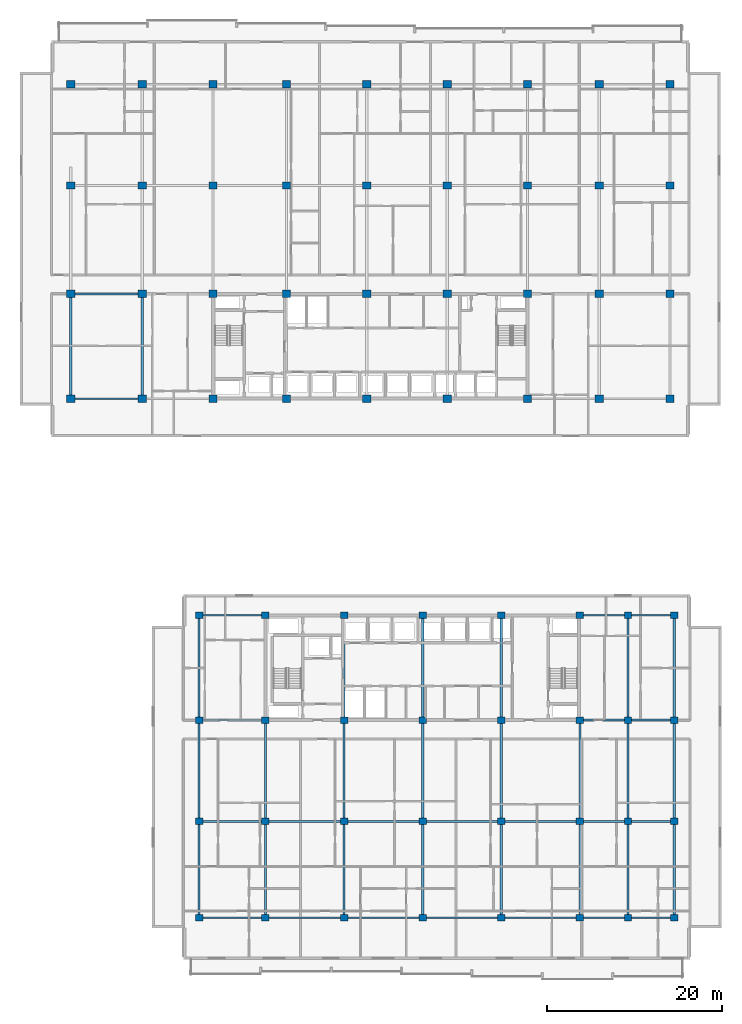
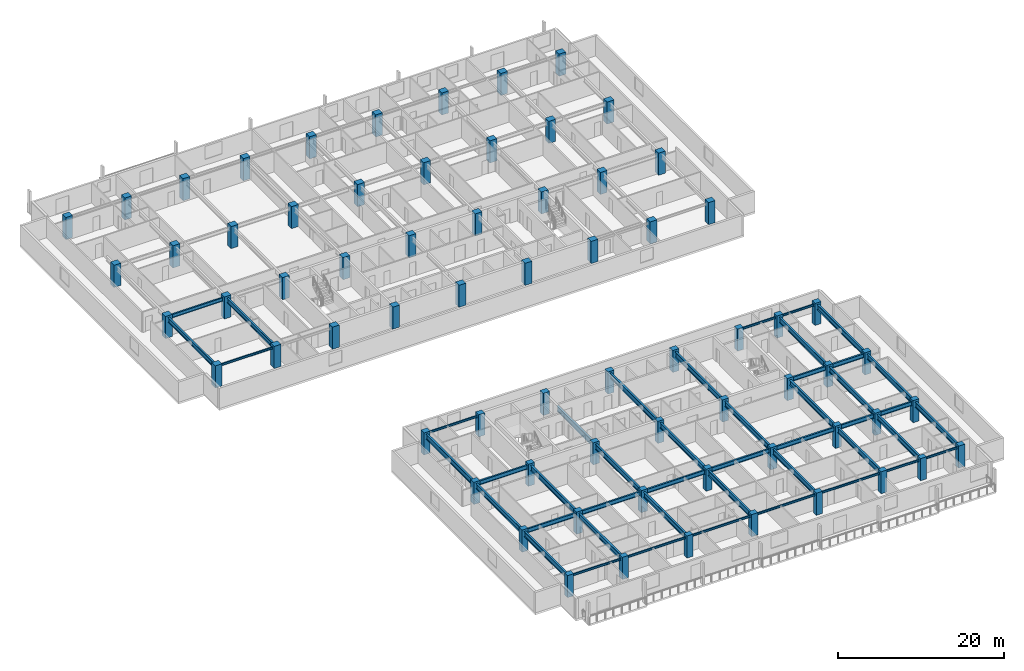
# One storey, part 1 of 22: 68 columns, 46 beams.
"""IFC4 building model written with IfcOpenShell, lengths in metres."""

from ifc_helpers import new_model, si_unit, direction, frame, origin, origin_2d, place, context, subcontext, project, spatial, rectangle, i_section, extrude, material, material_profile, profile_set, type_object, element, save


model = new_model("IFC4")

# Units and contexts
model_context = context("Model", 3, precision=1e-05, world=origin(), true_north=direction((0.0, 1.0)))
body_context = subcontext(model_context, "Body", "Model", "MODEL_VIEW")
ifc_project = project(units=[si_unit("LENGTHUNIT", "METRE"), si_unit("AREAUNIT", "SQUARE_METRE"), si_unit("VOLUMEUNIT", "CUBIC_METRE"), si_unit("PLANEANGLEUNIT", "RADIAN"), si_unit("MASSUNIT", "GRAM", prefix="KILO")], contexts=[model_context])

# Site, building, storey
site_placement = place(None, origin())
site = spatial("IfcSite", under=ifc_project, at=site_placement, CompositionType="ELEMENT")
building_placement = place(site_placement, origin())
building = spatial("IfcBuilding", under=site, at=building_placement, Name="Korimba Cascade Residences", CompositionType="ELEMENT")
storey_placement = place(building_placement, frame((0.0, 0.0, 87.300048828125)))
storey = spatial("IfcBuildingStorey", under=building, at=storey_placement, Name="L24", CompositionType="ELEMENT", Elevation=87.300048828125)

# Columns
ifc_material_1 = material(Name="Concrete C65/80", Category="concrete")
ifc_material_profile_1 = material_profile(ifc_material_1, rectangle(XDim=0.85009765625, YDim=0.75, at=origin_2d()), Name="Concrete C65/80")
ifc_profile_set_1 = profile_set([ifc_material_profile_1], Name="Concrete C65/80")
column_type_1 = type_object("IfcColumnType", Name="COL-RC-850", PredefinedType="COLUMN", material=ifc_profile_set_1)
for number, where, z_axis, x_axis, name in (
    (1, (74.5, -4.199951171875, 0.0), (0.0, 0.0, 1.0), (1.0, 0.0, 0.0), "L24 Tower 2 Column 1.1"),
    (2, (74.5, 6.800048828125, 0.0), (0.0, 0.0, 1.0), (1.0, 0.0, 0.0), "L24 Tower 2 Column 1.2"),
    (3, (74.5, 18.39990234375, 0.0), (0.0, 0.0, 1.0), (1.0, 0.0, 0.0), "L24 Tower 2 Column 1.3"),
    (4, (74.5, 30.39990234375, 0.0), (0.0, 0.0, 1.0), (1.0, 0.0, 0.0), "L24 Tower 2 Column 1.4"),
    (5, (82.10009765625, -4.199951171875, 0.0), (0.0, 0.0, 1.0), (1.0, 0.0, 0.0), "L24 Tower 2 Column 2.1"),
    (6, (82.10009765625, 6.800048828125, 0.0), (0.0, 0.0, 1.0), (1.0, 0.0, 0.0), "L24 Tower 2 Column 2.2"),
    (7, (82.10009765625, 18.39990234375, 0.0), (0.0, 0.0, 1.0), (1.0, 0.0, 0.0), "L24 Tower 2 Column 2.3"),
    (8, (82.10009765625, 30.39990234375, 0.0), (0.0, 0.0, 1.0), (1.0, 0.0, 0.0), "L24 Tower 2 Column 2.4"),
    (9, (91.10009765625, -4.199951171875, 0.0), (0.0, 0.0, 1.0), (1.0, 0.0, 0.0), "L24 Tower 2 Column 3.1"),
    (10, (91.10009765625, 6.800048828125, 0.0), (0.0, 0.0, 1.0), (1.0, 0.0, 0.0), "L24 Tower 2 Column 3.2"),
    (11, (91.10009765625, 18.39990234375, 0.0), (0.0, 0.0, 1.0), (1.0, 0.0, 0.0), "L24 Tower 2 Column 3.3"),
    (12, (91.10009765625, 30.39990234375, 0.0), (0.0, 0.0, 1.0), (1.0, 0.0, 0.0), "L24 Tower 2 Column 3.4"),
    (13, (100.10009765625, -4.199951171875, 0.0), (0.0, 0.0, 1.0), (1.0, 0.0, 0.0), "L24 Tower 2 Column 4.1"),
    (14, (100.10009765625, 6.800048828125, 0.0), (0.0, 0.0, 1.0), (1.0, 0.0, 0.0), "L24 Tower 2 Column 4.2"),
    (15, (100.10009765625, 18.39990234375, 0.0), (0.0, 0.0, 1.0), (1.0, 0.0, 0.0), "L24 Tower 2 Column 4.3"),
    (16, (100.10009765625, 30.39990234375, 0.0), (0.0, 0.0, 1.0), (1.0, 0.0, 0.0), "L24 Tower 2 Column 4.4"),
    (17, (109.10009765625, -4.199951171875, 0.0), (0.0, 0.0, 1.0), (1.0, 0.0, 0.0), "L24 Tower 2 Column 5.1"),
    (18, (109.10009765625, 6.800048828125, 0.0), (0.0, 0.0, 1.0), (1.0, 0.0, 0.0), "L24 Tower 2 Column 5.2"),
    (19, (109.10009765625, 18.39990234375, 0.0), (0.0, 0.0, 1.0), (1.0, 0.0, 0.0), "L24 Tower 2 Column 5.3"),
    (20, (109.10009765625, 30.39990234375, 0.0), (0.0, 0.0, 1.0), (1.0, 0.0, 0.0), "L24 Tower 2 Column 5.4"),
    (21, (118.10009765625, -4.199951171875, 0.0), (0.0, 0.0, 1.0), (1.0, 0.0, 0.0), "L24 Tower 2 Column 6.1"),
    (22, (118.10009765625, 6.800048828125, 0.0), (0.0, 0.0, 1.0), (1.0, 0.0, 0.0), "L24 Tower 2 Column 6.2"),
    (23, (118.10009765625, 18.39990234375, 0.0), (0.0, 0.0, 1.0), (1.0, 0.0, 0.0), "L24 Tower 2 Column 6.3"),
    (24, (118.10009765625, 30.39990234375, 0.0), (0.0, 0.0, 1.0), (1.0, 0.0, 0.0), "L24 Tower 2 Column 6.4"),
    (25, (123.60009765625, -4.199951171875, 0.0), (0.0, 0.0, 1.0), (1.0, 0.0, 0.0), "L24 Tower 2 Column 7.1"),
    (26, (123.60009765625, 6.800048828125, 0.0), (0.0, 0.0, 1.0), (1.0, 0.0, 0.0), "L24 Tower 2 Column 7.2"),
    (27, (123.60009765625, 18.39990234375, 0.0), (0.0, 0.0, 1.0), (1.0, 0.0, 0.0), "L24 Tower 2 Column 7.3"),
    (28, (123.60009765625, 30.39990234375, 0.0), (0.0, 0.0, 1.0), (1.0, 0.0, 0.0), "L24 Tower 2 Column 7.4"),
    (29, (128.89990234375, -4.199951171875, 0.0), (0.0, 0.0, 1.0), (1.0, 0.0, 0.0), "L24 Tower 2 Column 8.1"),
    (30, (128.89990234375, 6.800048828125, 0.0), (0.0, 0.0, 1.0), (1.0, 0.0, 0.0), "L24 Tower 2 Column 8.2"),
    (31, (128.89990234375, 18.39990234375, 0.0), (0.0, 0.0, 1.0), (1.0, 0.0, 0.0), "L24 Tower 2 Column 8.3"),
    (32, (128.89990234375, 30.39990234375, 0.0), (0.0, 0.0, 1.0), (1.0, 0.0, 0.0), "L24 Tower 2 Column 8.4"),
):
    element("IfcColumn", number, at=place(storey_placement, frame(where, z_axis=z_axis, x_axis=x_axis)), inside=storey, type_object=column_type_1, Name=name, PredefinedType="COLUMN", context=body_context, shape_type="SweptSolid", body=[
        extrude(rectangle(XDim=0.85009765625, YDim=0.75, at=origin_2d()), origin(), (0.0, 0.0, 1.0), 3.25),
    ])
ifc_material_profile_2 = material_profile(ifc_material_1, rectangle(XDim=0.949951171875, YDim=0.85009765625, at=origin_2d()), Name="Concrete C65/80")
ifc_profile_set_2 = profile_set([ifc_material_profile_2], Name="Concrete C65/80")
column_type_2 = type_object("IfcColumnType", Name="COL-RC-950", PredefinedType="COLUMN", material=ifc_profile_set_2)
for number, where, z_axis, x_axis, name in (
    (33, (59.800048828125, 55.199951171875, 0.0), (0.0, 0.0, 1.0), (1.0, 0.0, 0.0), "L24 Tower 1 Column 1.1"),
    (34, (59.800048828125, 67.199951171875, 0.0), (0.0, 0.0, 1.0), (1.0, 0.0, 0.0), "L24 Tower 1 Column 1.2"),
    (35, (59.800048828125, 79.60009765625, 0.0), (0.0, 0.0, 1.0), (1.0, 0.0, 0.0), "L24 Tower 1 Column 1.3"),
    (36, (59.800048828125, 91.199951171875, 0.0), (0.0, 0.0, 1.0), (1.0, 0.0, 0.0), "L24 Tower 1 Column 1.4"),
    (37, (68.0, 55.199951171875, 0.0), (0.0, 0.0, 1.0), (1.0, 0.0, 0.0), "L24 Tower 1 Column 2.1"),
    (38, (68.0, 67.199951171875, 0.0), (0.0, 0.0, 1.0), (1.0, 0.0, 0.0), "L24 Tower 1 Column 2.2"),
    (39, (68.0, 79.60009765625, 0.0), (0.0, 0.0, 1.0), (1.0, 0.0, 0.0), "L24 Tower 1 Column 2.3"),
    (40, (68.0, 91.199951171875, 0.0), (0.0, 0.0, 1.0), (1.0, 0.0, 0.0), "L24 Tower 1 Column 2.4"),
    (41, (76.10009765625, 55.199951171875, 0.0), (0.0, 0.0, 1.0), (1.0, 0.0, 0.0), "L24 Tower 1 Column 3.1"),
    (42, (76.10009765625, 67.199951171875, 0.0), (0.0, 0.0, 1.0), (1.0, 0.0, 0.0), "L24 Tower 1 Column 3.2"),
    (43, (76.10009765625, 79.60009765625, 0.0), (0.0, 0.0, 1.0), (1.0, 0.0, 0.0), "L24 Tower 1 Column 3.3"),
    (44, (76.10009765625, 91.199951171875, 0.0), (0.0, 0.0, 1.0), (1.0, 0.0, 0.0), "L24 Tower 1 Column 3.4"),
    (45, (84.5, 55.199951171875, 0.0), (0.0, 0.0, 1.0), (1.0, 0.0, 0.0), "L24 Tower 1 Column 4.1"),
    (46, (84.5, 67.199951171875, 0.0), (0.0, 0.0, 1.0), (1.0, 0.0, 0.0), "L24 Tower 1 Column 4.2"),
    (47, (84.5, 79.60009765625, 0.0), (0.0, 0.0, 1.0), (1.0, 0.0, 0.0), "L24 Tower 1 Column 4.3"),
    (48, (84.5, 91.199951171875, 0.0), (0.0, 0.0, 1.0), (1.0, 0.0, 0.0), "L24 Tower 1 Column 4.4"),
    (49, (93.699951171875, 55.199951171875, 0.0), (0.0, 0.0, 1.0), (1.0, 0.0, 0.0), "L24 Tower 1 Column 5.1"),
    (50, (93.699951171875, 67.199951171875, 0.0), (0.0, 0.0, 1.0), (1.0, 0.0, 0.0), "L24 Tower 1 Column 5.2"),
    (51, (93.699951171875, 79.60009765625, 0.0), (0.0, 0.0, 1.0), (1.0, 0.0, 0.0), "L24 Tower 1 Column 5.3"),
    (52, (93.699951171875, 91.199951171875, 0.0), (0.0, 0.0, 1.0), (1.0, 0.0, 0.0), "L24 Tower 1 Column 5.4"),
    (53, (102.89990234375, 55.199951171875, 0.0), (0.0, 0.0, 1.0), (1.0, 0.0, 0.0), "L24 Tower 1 Column 6.1"),
    (54, (102.89990234375, 67.199951171875, 0.0), (0.0, 0.0, 1.0), (1.0, 0.0, 0.0), "L24 Tower 1 Column 6.2"),
    (55, (102.89990234375, 79.60009765625, 0.0), (0.0, 0.0, 1.0), (1.0, 0.0, 0.0), "L24 Tower 1 Column 6.3"),
    (56, (102.89990234375, 91.199951171875, 0.0), (0.0, 0.0, 1.0), (1.0, 0.0, 0.0), "L24 Tower 1 Column 6.4"),
    (57, (112.10009765625, 55.199951171875, 0.0), (0.0, 0.0, 1.0), (1.0, 0.0, 0.0), "L24 Tower 1 Column 7.1"),
    (58, (112.10009765625, 67.199951171875, 0.0), (0.0, 0.0, 1.0), (1.0, 0.0, 0.0), "L24 Tower 1 Column 7.2"),
    (59, (112.10009765625, 79.60009765625, 0.0), (0.0, 0.0, 1.0), (1.0, 0.0, 0.0), "L24 Tower 1 Column 7.3"),
    (60, (112.10009765625, 91.199951171875, 0.0), (0.0, 0.0, 1.0), (1.0, 0.0, 0.0), "L24 Tower 1 Column 7.4"),
    (61, (120.300048828125, 55.199951171875, 0.0), (0.0, 0.0, 1.0), (1.0, 0.0, 0.0), "L24 Tower 1 Column 8.1"),
    (62, (120.300048828125, 67.199951171875, 0.0), (0.0, 0.0, 1.0), (1.0, 0.0, 0.0), "L24 Tower 1 Column 8.2"),
    (63, (120.300048828125, 79.60009765625, 0.0), (0.0, 0.0, 1.0), (1.0, 0.0, 0.0), "L24 Tower 1 Column 8.3"),
    (64, (120.300048828125, 91.199951171875, 0.0), (0.0, 0.0, 1.0), (1.0, 0.0, 0.0), "L24 Tower 1 Column 8.4"),
    (65, (128.39990234375, 55.199951171875, 0.0), (0.0, 0.0, 1.0), (1.0, 0.0, 0.0), "L24 Tower 1 Column 9.1"),
    (66, (128.39990234375, 67.199951171875, 0.0), (0.0, 0.0, 1.0), (1.0, 0.0, 0.0), "L24 Tower 1 Column 9.2"),
    (67, (128.39990234375, 79.60009765625, 0.0), (0.0, 0.0, 1.0), (1.0, 0.0, 0.0), "L24 Tower 1 Column 9.3"),
    (68, (128.39990234375, 91.199951171875, 0.0), (0.0, 0.0, 1.0), (1.0, 0.0, 0.0), "L24 Tower 1 Column 9.4"),
):
    element("IfcColumn", number, at=place(storey_placement, frame(where, z_axis=z_axis, x_axis=x_axis)), inside=storey, type_object=column_type_2, Name=name, PredefinedType="COLUMN", context=body_context, shape_type="SweptSolid", body=[
        extrude(rectangle(XDim=0.949951171875, YDim=0.85009765625, at=origin_2d()), origin(), (0.0, 0.0, 1.0), 3.25),
    ])

# Beams
ifc_material_2 = material(Name="Steel S355", Category="steel")
ifc_material_profile_3 = material_profile(ifc_material_2, i_section(OverallWidth=0.165771484375, OverallDepth=0.306640625, WebThickness=0.006591796875, FlangeThickness=0.01171875, FilletRadius=0.0087890625, at=origin_2d()), Name="Steel S355")
ifc_profile_set_3 = profile_set([ifc_material_profile_3], Name="Steel S355")
beam_type_1 = type_object("IfcBeamType", Name="BM-STL-UB305", PredefinedType="SPANDREL", material=ifc_profile_set_3)
beam_1_placement = place(storey_placement, frame((60.27490234375, 55.199951171875, 2.816650390625), z_axis=(1.0, 0.0, 0.0), x_axis=(0.0, 1.0, 0.0)))
element("IfcBeam", 69, at=beam_1_placement, inside=storey, type_object=beam_type_1, Name="L24 T1 E-W Girder Y1 Bay 1", PredefinedType="SPANDREL", context=body_context, shape_type="SweptSolid", body=[
    extrude(i_section(OverallWidth=0.165771484375, OverallDepth=0.306640625, WebThickness=0.006591796875, FlangeThickness=0.01171875, FilletRadius=0.0087890625, at=origin_2d()), origin(), (0.0, 0.0, 1.0), 7.25),
])
beam_2_placement = place(storey_placement, frame((74.925048828125, -4.199951171875, 2.816650390625), z_axis=(1.0, 0.0, 0.0), x_axis=(0.0, 1.0, 0.0)))
element("IfcBeam", 70, at=beam_2_placement, inside=storey, type_object=beam_type_1, Name="L24 T2 E-W Girder Y1 Bay 1", PredefinedType="SPANDREL", context=body_context, shape_type="SweptSolid", body=[
    extrude(i_section(OverallWidth=0.165771484375, OverallDepth=0.306640625, WebThickness=0.006591796875, FlangeThickness=0.01171875, FilletRadius=0.0087890625, at=origin_2d()), origin(), (0.0, 0.0, 1.0), 6.75),
])
for number, where, z_axis, x_axis, name in (
    (71, (82.52490234375, -4.199951171875, 2.816650390625), (1.0, 0.0, 0.0), (0.0, 1.0, 0.0), "L24 T2 E-W Girder Y1 Bay 2"),
    (72, (91.52490234375, -4.199951171875, 2.816650390625), (1.0, 0.0, 0.0), (0.0, 1.0, 0.0), "L24 T2 E-W Girder Y1 Bay 3"),
    (73, (100.52490234375, -4.199951171875, 2.816650390625), (1.0, 0.0, 0.0), (0.0, 1.0, 0.0), "L24 T2 E-W Girder Y1 Bay 4"),
    (74, (109.52490234375, -4.199951171875, 2.816650390625), (1.0, 0.0, 0.0), (0.0, 1.0, 0.0), "L24 T2 E-W Girder Y1 Bay 5"),
):
    element("IfcBeam", number, at=place(storey_placement, frame(where, z_axis=z_axis, x_axis=x_axis)), inside=storey, type_object=beam_type_1, Name=name, PredefinedType="SPANDREL", context=body_context, shape_type="SweptSolid", body=[
        extrude(i_section(OverallWidth=0.165771484375, OverallDepth=0.306640625, WebThickness=0.006591796875, FlangeThickness=0.01171875, FilletRadius=0.0087890625, at=origin_2d()), origin(), (0.0, 0.0, 1.0), 8.150146484375),
    ])
beam_3_placement = place(storey_placement, frame((118.52490234375, -4.199951171875, 2.816650390625), z_axis=(1.0, 0.0, 0.0), x_axis=(0.0, 1.0, 0.0)))
element("IfcBeam", 75, at=beam_3_placement, inside=storey, type_object=beam_type_1, Name="L24 T2 E-W Girder Y1 Bay 6", PredefinedType="SPANDREL", context=body_context, shape_type="SweptSolid", body=[
    extrude(i_section(OverallWidth=0.165771484375, OverallDepth=0.306640625, WebThickness=0.006591796875, FlangeThickness=0.01171875, FilletRadius=0.0087890625, at=origin_2d()), origin(), (0.0, 0.0, 1.0), 4.650146484375),
])
beam_4_placement = place(storey_placement, frame((124.02490234375, -4.199951171875, 2.816650390625), z_axis=(1.0, 0.0, 0.0), x_axis=(0.0, 1.0, 0.0)))
element("IfcBeam", 76, at=beam_4_placement, inside=storey, type_object=beam_type_1, Name="L24 T2 E-W Girder Y1 Bay 7", PredefinedType="SPANDREL", context=body_context, shape_type="SweptSolid", body=[
    extrude(i_section(OverallWidth=0.165771484375, OverallDepth=0.306640625, WebThickness=0.006591796875, FlangeThickness=0.01171875, FilletRadius=0.0087890625, at=origin_2d()), origin(), (0.0, 0.0, 1.0), 4.4501953125),
])
beam_5_placement = place(storey_placement, frame((74.925048828125, 30.39990234375, 2.816650390625), z_axis=(1.0, 0.0, 0.0), x_axis=(0.0, 1.0, 0.0)))
element("IfcBeam", 77, at=beam_5_placement, inside=storey, type_object=beam_type_1, Name="L24 T2 E-W Girder Y4 Bay 1", PredefinedType="SPANDREL", context=body_context, shape_type="SweptSolid", body=[
    extrude(i_section(OverallWidth=0.165771484375, OverallDepth=0.306640625, WebThickness=0.006591796875, FlangeThickness=0.01171875, FilletRadius=0.0087890625, at=origin_2d()), origin(), (0.0, 0.0, 1.0), 6.75),
])
beam_6_placement = place(storey_placement, frame((118.52490234375, 30.39990234375, 2.816650390625), z_axis=(1.0, 0.0, 0.0), x_axis=(0.0, 1.0, 0.0)))
element("IfcBeam", 78, at=beam_6_placement, inside=storey, type_object=beam_type_1, Name="L24 T2 E-W Girder Y4 Bay 6", PredefinedType="SPANDREL", context=body_context, shape_type="SweptSolid", body=[
    extrude(i_section(OverallWidth=0.165771484375, OverallDepth=0.306640625, WebThickness=0.006591796875, FlangeThickness=0.01171875, FilletRadius=0.0087890625, at=origin_2d()), origin(), (0.0, 0.0, 1.0), 4.650146484375),
])
beam_7_placement = place(storey_placement, frame((124.02490234375, 30.39990234375, 2.816650390625), z_axis=(1.0, 0.0, 0.0), x_axis=(0.0, 1.0, 0.0)))
element("IfcBeam", 79, at=beam_7_placement, inside=storey, type_object=beam_type_1, Name="L24 T2 E-W Girder Y4 Bay 7", PredefinedType="SPANDREL", context=body_context, shape_type="SweptSolid", body=[
    extrude(i_section(OverallWidth=0.165771484375, OverallDepth=0.306640625, WebThickness=0.006591796875, FlangeThickness=0.01171875, FilletRadius=0.0087890625, at=origin_2d()), origin(), (0.0, 0.0, 1.0), 4.4501953125),
])
ifc_material_profile_4 = material_profile(ifc_material_2, i_section(OverallWidth=0.2099609375, OverallDepth=0.53662109375, WebThickness=0.0107421875, FlangeThickness=0.017333984375, FilletRadius=0.0126953125, at=origin_2d()), Name="Steel S355")
ifc_profile_set_4 = profile_set([ifc_material_profile_4], Name="Steel S355")
beam_type_2 = type_object("IfcBeamType", Name="BM-STL-UB533", PredefinedType="BEAM", material=ifc_profile_set_4)
beam_8_placement = place(storey_placement, frame((60.27490234375, 67.199951171875, 2.70166015625), z_axis=(1.0, 0.0, 0.0), x_axis=(0.0, 1.0, 0.0)))
element("IfcBeam", 80, at=beam_8_placement, inside=storey, type_object=beam_type_2, Name="L24 T1 E-W Girder Y2 Bay 1", PredefinedType="BEAM", context=body_context, shape_type="SweptSolid", body=[
    extrude(i_section(OverallWidth=0.2099609375, OverallDepth=0.53662109375, WebThickness=0.0107421875, FlangeThickness=0.017333984375, FilletRadius=0.0126953125, at=origin_2d()), origin(), (0.0, 0.0, 1.0), 7.25),
])
ifc_material_profile_5 = material_profile(ifc_material_2, i_section(OverallWidth=0.22900390625, OverallDepth=0.6123046875, WebThickness=0.011962890625, FlangeThickness=0.01953125, FilletRadius=0.0126953125, at=origin_2d()), Name="Steel S355")
ifc_profile_set_5 = profile_set([ifc_material_profile_5], Name="Steel S355")
beam_type_3 = type_object("IfcBeamType", Name="BM-STL-UB610B", PredefinedType="BEAM", material=ifc_profile_set_5)
beam_9_placement = place(storey_placement, frame((74.925048828125, 6.800048828125, 2.663818359375), z_axis=(1.0, 0.0, 0.0), x_axis=(0.0, 1.0, 0.0)))
element("IfcBeam", 81, at=beam_9_placement, inside=storey, type_object=beam_type_3, Name="L24 T2 E-W Girder Y2 Bay 1", PredefinedType="BEAM", context=body_context, shape_type="SweptSolid", body=[
    extrude(i_section(OverallWidth=0.22900390625, OverallDepth=0.6123046875, WebThickness=0.011962890625, FlangeThickness=0.01953125, FilletRadius=0.0126953125, at=origin_2d()), origin(), (0.0, 0.0, 1.0), 6.75),
])
for number, where, z_axis, x_axis, name in (
    (82, (82.52490234375, 6.800048828125, 2.663818359375), (1.0, 0.0, 0.0), (0.0, 1.0, 0.0), "L24 T2 E-W Girder Y2 Bay 2"),
    (83, (91.52490234375, 6.800048828125, 2.663818359375), (1.0, 0.0, 0.0), (0.0, 1.0, 0.0), "L24 T2 E-W Girder Y2 Bay 3"),
    (84, (100.52490234375, 6.800048828125, 2.663818359375), (1.0, 0.0, 0.0), (0.0, 1.0, 0.0), "L24 T2 E-W Girder Y2 Bay 4"),
    (85, (109.52490234375, 6.800048828125, 2.663818359375), (1.0, 0.0, 0.0), (0.0, 1.0, 0.0), "L24 T2 E-W Girder Y2 Bay 5"),
):
    element("IfcBeam", number, at=place(storey_placement, frame(where, z_axis=z_axis, x_axis=x_axis)), inside=storey, type_object=beam_type_3, Name=name, PredefinedType="BEAM", context=body_context, shape_type="SweptSolid", body=[
        extrude(i_section(OverallWidth=0.22900390625, OverallDepth=0.6123046875, WebThickness=0.011962890625, FlangeThickness=0.01953125, FilletRadius=0.0126953125, at=origin_2d()), origin(), (0.0, 0.0, 1.0), 8.150146484375),
    ])
beam_10_placement = place(storey_placement, frame((118.52490234375, 6.800048828125, 2.663818359375), z_axis=(1.0, 0.0, 0.0), x_axis=(0.0, 1.0, 0.0)))
element("IfcBeam", 86, at=beam_10_placement, inside=storey, type_object=beam_type_3, Name="L24 T2 E-W Girder Y2 Bay 6", PredefinedType="BEAM", context=body_context, shape_type="SweptSolid", body=[
    extrude(i_section(OverallWidth=0.22900390625, OverallDepth=0.6123046875, WebThickness=0.011962890625, FlangeThickness=0.01953125, FilletRadius=0.0126953125, at=origin_2d()), origin(), (0.0, 0.0, 1.0), 4.650146484375),
])
beam_11_placement = place(storey_placement, frame((124.02490234375, 6.800048828125, 2.663818359375), z_axis=(1.0, 0.0, 0.0), x_axis=(0.0, 1.0, 0.0)))
element("IfcBeam", 87, at=beam_11_placement, inside=storey, type_object=beam_type_3, Name="L24 T2 E-W Girder Y2 Bay 7", PredefinedType="BEAM", context=body_context, shape_type="SweptSolid", body=[
    extrude(i_section(OverallWidth=0.22900390625, OverallDepth=0.6123046875, WebThickness=0.011962890625, FlangeThickness=0.01953125, FilletRadius=0.0126953125, at=origin_2d()), origin(), (0.0, 0.0, 1.0), 4.4501953125),
])
beam_12_placement = place(storey_placement, frame((74.925048828125, 18.39990234375, 2.663818359375), z_axis=(1.0, 0.0, 0.0), x_axis=(0.0, 1.0, 0.0)))
element("IfcBeam", 88, at=beam_12_placement, inside=storey, type_object=beam_type_3, Name="L24 T2 E-W Girder Y3 Bay 1", PredefinedType="BEAM", context=body_context, shape_type="SweptSolid", body=[
    extrude(i_section(OverallWidth=0.22900390625, OverallDepth=0.6123046875, WebThickness=0.011962890625, FlangeThickness=0.01953125, FilletRadius=0.0126953125, at=origin_2d()), origin(), (0.0, 0.0, 1.0), 6.75),
])
beam_13_placement = place(storey_placement, frame((118.52490234375, 18.39990234375, 2.663818359375), z_axis=(1.0, 0.0, 0.0), x_axis=(0.0, 1.0, 0.0)))
element("IfcBeam", 89, at=beam_13_placement, inside=storey, type_object=beam_type_3, Name="L24 T2 E-W Girder Y3 Bay 6", PredefinedType="BEAM", context=body_context, shape_type="SweptSolid", body=[
    extrude(i_section(OverallWidth=0.22900390625, OverallDepth=0.6123046875, WebThickness=0.011962890625, FlangeThickness=0.01953125, FilletRadius=0.0126953125, at=origin_2d()), origin(), (0.0, 0.0, 1.0), 4.650146484375),
])
beam_14_placement = place(storey_placement, frame((124.02490234375, 18.39990234375, 2.663818359375), z_axis=(1.0, 0.0, 0.0), x_axis=(0.0, 1.0, 0.0)))
element("IfcBeam", 90, at=beam_14_placement, inside=storey, type_object=beam_type_3, Name="L24 T2 E-W Girder Y3 Bay 7", PredefinedType="BEAM", context=body_context, shape_type="SweptSolid", body=[
    extrude(i_section(OverallWidth=0.22900390625, OverallDepth=0.6123046875, WebThickness=0.011962890625, FlangeThickness=0.01953125, FilletRadius=0.0126953125, at=origin_2d()), origin(), (0.0, 0.0, 1.0), 4.4501953125),
])
ifc_material_profile_6 = material_profile(ifc_material_2, i_section(OverallWidth=0.255859375, OverallDepth=0.69287109375, WebThickness=0.014404296875, FlangeThickness=0.023681640625, FilletRadius=0.01513671875, at=origin_2d()), Name="Steel S355")
ifc_profile_set_6 = profile_set([ifc_material_profile_6], Name="Steel S355")
beam_type_4 = type_object("IfcBeamType", Name="BM-STL-UB686", PredefinedType="BEAM", material=ifc_profile_set_6)
for number, where, z_axis, x_axis, name in (
    (91, (59.800048828125, 55.625, 2.62353515625), (0.0, 1.0, 0.0), (-1.0, 0.0, 0.0), "L24 T1 N-S Girder X1 Seg 1"),
    (92, (68.0, 55.625, 2.62353515625), (0.0, 1.0, 0.0), (-1.0, 0.0, 0.0), "L24 T1 N-S Girder X2 Seg 1"),
):
    element("IfcBeam", number, at=place(storey_placement, frame(where, z_axis=z_axis, x_axis=x_axis)), inside=storey, type_object=beam_type_4, Name=name, PredefinedType="BEAM", context=body_context, shape_type="SweptSolid", body=[
        extrude(i_section(OverallWidth=0.255859375, OverallDepth=0.69287109375, WebThickness=0.014404296875, FlangeThickness=0.023681640625, FilletRadius=0.01513671875, at=origin_2d()), origin(), (0.0, 0.0, 1.0), 11.14990234375),
    ])
ifc_material_profile_7 = material_profile(ifc_material_2, i_section(OverallWidth=0.26806640625, OverallDepth=0.769775390625, WebThickness=0.015625, FlangeThickness=0.025390625, FilletRadius=0.0166015625, at=origin_2d()), Name="Steel S355")
ifc_profile_set_7 = profile_set([ifc_material_profile_7], Name="Steel S355")
beam_type_5 = type_object("IfcBeamType", Name="BM-STL-UB762", PredefinedType="BEAM", material=ifc_profile_set_7)
beam_15_placement = place(storey_placement, frame((74.5, -3.824951171875, 2.5849609375), z_axis=(0.0, 1.0, 0.0), x_axis=(-1.0, 0.0, 0.0)))
element("IfcBeam", 93, at=beam_15_placement, inside=storey, type_object=beam_type_5, Name="L24 T2 N-S Girder X1 Seg 1", PredefinedType="BEAM", context=body_context, shape_type="SweptSolid", body=[
    extrude(i_section(OverallWidth=0.26806640625, OverallDepth=0.769775390625, WebThickness=0.015625, FlangeThickness=0.025390625, FilletRadius=0.0166015625, at=origin_2d()), origin(), (0.0, 0.0, 1.0), 10.25),
])
beam_16_placement = place(storey_placement, frame((74.5, 7.175048828125, 2.5849609375), z_axis=(0.0, 1.0, 0.0), x_axis=(-1.0, 0.0, 0.0)))
element("IfcBeam", 94, at=beam_16_placement, inside=storey, type_object=beam_type_5, Name="L24 T2 N-S Girder X1 Seg 2", PredefinedType="BEAM", context=body_context, shape_type="SweptSolid", body=[
    extrude(i_section(OverallWidth=0.26806640625, OverallDepth=0.769775390625, WebThickness=0.015625, FlangeThickness=0.025390625, FilletRadius=0.0166015625, at=origin_2d()), origin(), (0.0, 0.0, 1.0), 10.849853515625),
])
beam_17_placement = place(storey_placement, frame((74.5, 18.77490234375, 2.5849609375), z_axis=(0.0, 1.0, 0.0), x_axis=(-1.0, 0.0, 0.0)))
element("IfcBeam", 95, at=beam_17_placement, inside=storey, type_object=beam_type_5, Name="L24 T2 N-S Girder X1 Seg 3", PredefinedType="BEAM", context=body_context, shape_type="SweptSolid", body=[
    extrude(i_section(OverallWidth=0.26806640625, OverallDepth=0.769775390625, WebThickness=0.015625, FlangeThickness=0.025390625, FilletRadius=0.0166015625, at=origin_2d()), origin(), (0.0, 0.0, 1.0), 11.25),
])
beam_18_placement = place(storey_placement, frame((82.10009765625, -3.824951171875, 2.5849609375), z_axis=(0.0, 1.0, 0.0), x_axis=(-1.0, 0.0, 0.0)))
element("IfcBeam", 96, at=beam_18_placement, inside=storey, type_object=beam_type_5, Name="L24 T2 N-S Girder X2 Seg 1", PredefinedType="BEAM", context=body_context, shape_type="SweptSolid", body=[
    extrude(i_section(OverallWidth=0.26806640625, OverallDepth=0.769775390625, WebThickness=0.015625, FlangeThickness=0.025390625, FilletRadius=0.0166015625, at=origin_2d()), origin(), (0.0, 0.0, 1.0), 10.25),
])
beam_19_placement = place(storey_placement, frame((82.10009765625, 7.175048828125, 2.5849609375), z_axis=(0.0, 1.0, 0.0), x_axis=(-1.0, 0.0, 0.0)))
element("IfcBeam", 97, at=beam_19_placement, inside=storey, type_object=beam_type_5, Name="L24 T2 N-S Girder X2 Seg 2", PredefinedType="BEAM", context=body_context, shape_type="SweptSolid", body=[
    extrude(i_section(OverallWidth=0.26806640625, OverallDepth=0.769775390625, WebThickness=0.015625, FlangeThickness=0.025390625, FilletRadius=0.0166015625, at=origin_2d()), origin(), (0.0, 0.0, 1.0), 10.849853515625),
])
beam_20_placement = place(storey_placement, frame((91.10009765625, -3.824951171875, 2.5849609375), z_axis=(0.0, 1.0, 0.0), x_axis=(-1.0, 0.0, 0.0)))
element("IfcBeam", 98, at=beam_20_placement, inside=storey, type_object=beam_type_5, Name="L24 T2 N-S Girder X3 Seg 1", PredefinedType="BEAM", context=body_context, shape_type="SweptSolid", body=[
    extrude(i_section(OverallWidth=0.26806640625, OverallDepth=0.769775390625, WebThickness=0.015625, FlangeThickness=0.025390625, FilletRadius=0.0166015625, at=origin_2d()), origin(), (0.0, 0.0, 1.0), 10.25),
])
beam_21_placement = place(storey_placement, frame((91.10009765625, 7.175048828125, 2.5849609375), z_axis=(0.0, 1.0, 0.0), x_axis=(-1.0, 0.0, 0.0)))
element("IfcBeam", 99, at=beam_21_placement, inside=storey, type_object=beam_type_5, Name="L24 T2 N-S Girder X3 Seg 2", PredefinedType="BEAM", context=body_context, shape_type="SweptSolid", body=[
    extrude(i_section(OverallWidth=0.26806640625, OverallDepth=0.769775390625, WebThickness=0.015625, FlangeThickness=0.025390625, FilletRadius=0.0166015625, at=origin_2d()), origin(), (0.0, 0.0, 1.0), 10.849853515625),
])
beam_22_placement = place(storey_placement, frame((91.10009765625, 18.77490234375, 2.5849609375), z_axis=(0.0, 1.0, 0.0), x_axis=(-1.0, 0.0, 0.0)))
element("IfcBeam", 100, at=beam_22_placement, inside=storey, type_object=beam_type_5, Name="L24 T2 N-S Girder X3 Seg 3", PredefinedType="BEAM", context=body_context, shape_type="SweptSolid", body=[
    extrude(i_section(OverallWidth=0.26806640625, OverallDepth=0.769775390625, WebThickness=0.015625, FlangeThickness=0.025390625, FilletRadius=0.0166015625, at=origin_2d()), origin(), (0.0, 0.0, 1.0), 8.565185546875),
])
beam_23_placement = place(storey_placement, frame((100.10009765625, -3.824951171875, 2.5849609375), z_axis=(0.0, 1.0, 0.0), x_axis=(-1.0, 0.0, 0.0)))
element("IfcBeam", 101, at=beam_23_placement, inside=storey, type_object=beam_type_5, Name="L24 T2 N-S Girder X4 Seg 1", PredefinedType="BEAM", context=body_context, shape_type="SweptSolid", body=[
    extrude(i_section(OverallWidth=0.26806640625, OverallDepth=0.769775390625, WebThickness=0.015625, FlangeThickness=0.025390625, FilletRadius=0.0166015625, at=origin_2d()), origin(), (0.0, 0.0, 1.0), 10.25),
])
beam_24_placement = place(storey_placement, frame((100.10009765625, 7.175048828125, 2.5849609375), z_axis=(0.0, 1.0, 0.0), x_axis=(-1.0, 0.0, 0.0)))
element("IfcBeam", 102, at=beam_24_placement, inside=storey, type_object=beam_type_5, Name="L24 T2 N-S Girder X4 Seg 2", PredefinedType="BEAM", context=body_context, shape_type="SweptSolid", body=[
    extrude(i_section(OverallWidth=0.26806640625, OverallDepth=0.769775390625, WebThickness=0.015625, FlangeThickness=0.025390625, FilletRadius=0.0166015625, at=origin_2d()), origin(), (0.0, 0.0, 1.0), 10.849853515625),
])
beam_25_placement = place(storey_placement, frame((100.10009765625, 18.77490234375, 2.5849609375), z_axis=(0.0, 1.0, 0.0), x_axis=(-1.0, 0.0, 0.0)))
element("IfcBeam", 103, at=beam_25_placement, inside=storey, type_object=beam_type_5, Name="L24 T2 N-S Girder X4 Seg 3", PredefinedType="BEAM", context=body_context, shape_type="SweptSolid", body=[
    extrude(i_section(OverallWidth=0.26806640625, OverallDepth=0.769775390625, WebThickness=0.015625, FlangeThickness=0.025390625, FilletRadius=0.0166015625, at=origin_2d()), origin(), (0.0, 0.0, 1.0), 11.25),
])
beam_26_placement = place(storey_placement, frame((109.10009765625, -3.824951171875, 2.5849609375), z_axis=(0.0, 1.0, 0.0), x_axis=(-1.0, 0.0, 0.0)))
element("IfcBeam", 104, at=beam_26_placement, inside=storey, type_object=beam_type_5, Name="L24 T2 N-S Girder X5 Seg 1", PredefinedType="BEAM", context=body_context, shape_type="SweptSolid", body=[
    extrude(i_section(OverallWidth=0.26806640625, OverallDepth=0.769775390625, WebThickness=0.015625, FlangeThickness=0.025390625, FilletRadius=0.0166015625, at=origin_2d()), origin(), (0.0, 0.0, 1.0), 10.25),
])
beam_27_placement = place(storey_placement, frame((109.10009765625, 7.175048828125, 2.5849609375), z_axis=(0.0, 1.0, 0.0), x_axis=(-1.0, 0.0, 0.0)))
element("IfcBeam", 105, at=beam_27_placement, inside=storey, type_object=beam_type_5, Name="L24 T2 N-S Girder X5 Seg 2", PredefinedType="BEAM", context=body_context, shape_type="SweptSolid", body=[
    extrude(i_section(OverallWidth=0.26806640625, OverallDepth=0.769775390625, WebThickness=0.015625, FlangeThickness=0.025390625, FilletRadius=0.0166015625, at=origin_2d()), origin(), (0.0, 0.0, 1.0), 10.849853515625),
])
beam_28_placement = place(storey_placement, frame((109.10009765625, 18.77490234375, 2.5849609375), z_axis=(0.0, 1.0, 0.0), x_axis=(-1.0, 0.0, 0.0)))
element("IfcBeam", 106, at=beam_28_placement, inside=storey, type_object=beam_type_5, Name="L24 T2 N-S Girder X5 Seg 3", PredefinedType="BEAM", context=body_context, shape_type="SweptSolid", body=[
    extrude(i_section(OverallWidth=0.26806640625, OverallDepth=0.769775390625, WebThickness=0.015625, FlangeThickness=0.025390625, FilletRadius=0.0166015625, at=origin_2d()), origin(), (0.0, 0.0, 1.0), 11.25),
])
beam_29_placement = place(storey_placement, frame((118.10009765625, -3.824951171875, 2.5849609375), z_axis=(0.0, 1.0, 0.0), x_axis=(-1.0, 0.0, 0.0)))
element("IfcBeam", 107, at=beam_29_placement, inside=storey, type_object=beam_type_5, Name="L24 T2 N-S Girder X6 Seg 1", PredefinedType="BEAM", context=body_context, shape_type="SweptSolid", body=[
    extrude(i_section(OverallWidth=0.26806640625, OverallDepth=0.769775390625, WebThickness=0.015625, FlangeThickness=0.025390625, FilletRadius=0.0166015625, at=origin_2d()), origin(), (0.0, 0.0, 1.0), 10.25),
])
beam_30_placement = place(storey_placement, frame((118.10009765625, 7.175048828125, 2.5849609375), z_axis=(0.0, 1.0, 0.0), x_axis=(-1.0, 0.0, 0.0)))
element("IfcBeam", 108, at=beam_30_placement, inside=storey, type_object=beam_type_5, Name="L24 T2 N-S Girder X6 Seg 2", PredefinedType="BEAM", context=body_context, shape_type="SweptSolid", body=[
    extrude(i_section(OverallWidth=0.26806640625, OverallDepth=0.769775390625, WebThickness=0.015625, FlangeThickness=0.025390625, FilletRadius=0.0166015625, at=origin_2d()), origin(), (0.0, 0.0, 1.0), 10.849853515625),
])
beam_31_placement = place(storey_placement, frame((123.60009765625, -3.824951171875, 2.5849609375), z_axis=(0.0, 1.0, 0.0), x_axis=(-1.0, 0.0, 0.0)))
element("IfcBeam", 109, at=beam_31_placement, inside=storey, type_object=beam_type_5, Name="L24 T2 N-S Girder X7 Seg 1", PredefinedType="BEAM", context=body_context, shape_type="SweptSolid", body=[
    extrude(i_section(OverallWidth=0.26806640625, OverallDepth=0.769775390625, WebThickness=0.015625, FlangeThickness=0.025390625, FilletRadius=0.0166015625, at=origin_2d()), origin(), (0.0, 0.0, 1.0), 10.25),
])
beam_32_placement = place(storey_placement, frame((123.60009765625, 7.175048828125, 2.5849609375), z_axis=(0.0, 1.0, 0.0), x_axis=(-1.0, 0.0, 0.0)))
element("IfcBeam", 110, at=beam_32_placement, inside=storey, type_object=beam_type_5, Name="L24 T2 N-S Girder X7 Seg 2", PredefinedType="BEAM", context=body_context, shape_type="SweptSolid", body=[
    extrude(i_section(OverallWidth=0.26806640625, OverallDepth=0.769775390625, WebThickness=0.015625, FlangeThickness=0.025390625, FilletRadius=0.0166015625, at=origin_2d()), origin(), (0.0, 0.0, 1.0), 10.849853515625),
])
beam_33_placement = place(storey_placement, frame((123.60009765625, 18.77490234375, 2.5849609375), z_axis=(0.0, 1.0, 0.0), x_axis=(-1.0, 0.0, 0.0)))
element("IfcBeam", 111, at=beam_33_placement, inside=storey, type_object=beam_type_5, Name="L24 T2 N-S Girder X7 Seg 3", PredefinedType="BEAM", context=body_context, shape_type="SweptSolid", body=[
    extrude(i_section(OverallWidth=0.26806640625, OverallDepth=0.769775390625, WebThickness=0.015625, FlangeThickness=0.025390625, FilletRadius=0.0166015625, at=origin_2d()), origin(), (0.0, 0.0, 1.0), 11.25),
])
beam_34_placement = place(storey_placement, frame((128.89990234375, -3.824951171875, 2.5849609375), z_axis=(0.0, 1.0, 0.0), x_axis=(-1.0, 0.0, 0.0)))
element("IfcBeam", 112, at=beam_34_placement, inside=storey, type_object=beam_type_5, Name="L24 T2 N-S Girder X8 Seg 1", PredefinedType="BEAM", context=body_context, shape_type="SweptSolid", body=[
    extrude(i_section(OverallWidth=0.26806640625, OverallDepth=0.769775390625, WebThickness=0.015625, FlangeThickness=0.025390625, FilletRadius=0.0166015625, at=origin_2d()), origin(), (0.0, 0.0, 1.0), 10.25),
])
beam_35_placement = place(storey_placement, frame((128.89990234375, 7.175048828125, 2.5849609375), z_axis=(0.0, 1.0, 0.0), x_axis=(-1.0, 0.0, 0.0)))
element("IfcBeam", 113, at=beam_35_placement, inside=storey, type_object=beam_type_5, Name="L24 T2 N-S Girder X8 Seg 2", PredefinedType="BEAM", context=body_context, shape_type="SweptSolid", body=[
    extrude(i_section(OverallWidth=0.26806640625, OverallDepth=0.769775390625, WebThickness=0.015625, FlangeThickness=0.025390625, FilletRadius=0.0166015625, at=origin_2d()), origin(), (0.0, 0.0, 1.0), 10.849853515625),
])
beam_36_placement = place(storey_placement, frame((128.89990234375, 18.77490234375, 2.5849609375), z_axis=(0.0, 1.0, 0.0), x_axis=(-1.0, 0.0, 0.0)))
element("IfcBeam", 114, at=beam_36_placement, inside=storey, type_object=beam_type_5, Name="L24 T2 N-S Girder X8 Seg 3", PredefinedType="BEAM", context=body_context, shape_type="SweptSolid", body=[
    extrude(i_section(OverallWidth=0.26806640625, OverallDepth=0.769775390625, WebThickness=0.015625, FlangeThickness=0.025390625, FilletRadius=0.0166015625, at=origin_2d()), origin(), (0.0, 0.0, 1.0), 11.25),
])

save(model, "model.ifc")
